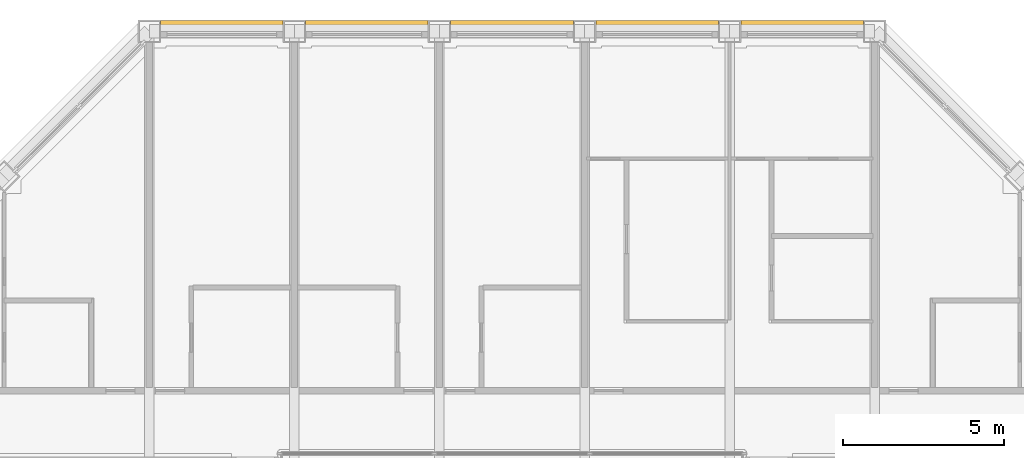
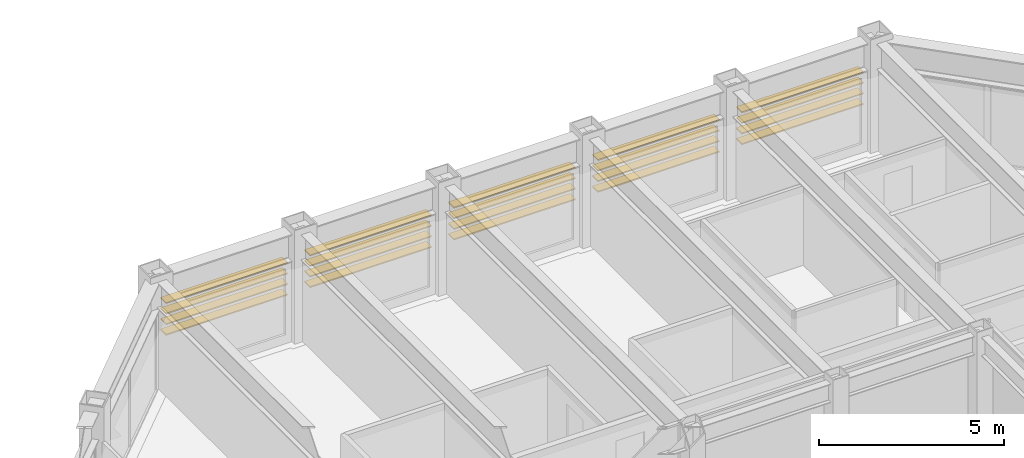
# One storey, part 18 of 18: 1 shading device.
"""IFC4 building model written with IfcOpenShell, lengths in metres."""

import ifcopenshell
import ifcopenshell.guid

model = None  # the IFC model being written
_history = None  # IfcOwnerHistory: only IFC2X3 demands one
_inside = {}  # id of a spatial element -> (the spatial element, [elements in it])
_under = {}  # id of a project, library or spatial element -> (it, [spatial elements below it])
_declared = {}  # id of a project -> (the project, [libraries it declares])
_typed = {}  # id of a type object -> (the type object, [elements of that type])
_made_of = {}  # id of a material, layer set ... -> (it, [elements and type objects made of it])


def new_model(schema):
    """Start an empty IFC model of exactly this schema.

    Asked for "IFC4X3", IfcOpenShell would pick the latest addendum, in which some entities
    have other attributes; the version numbers below select the first issue.
    IFC2X3 requires an IfcOwnerHistory on every rooted entity: one is made here for all.
    """
    global model, _history
    if schema == "IFC4X3":
        model = ifcopenshell.file(schema_version=(4, 3, 0, 0))
    else:
        model = ifcopenshell.file(schema=schema)
    _inside.clear()
    _under.clear()
    _declared.clear()
    _typed.clear()
    _made_of.clear()
    _history = None
    if model.schema == "IFC2X3":
        org = make("IfcOrganization", Name="unknown")
        user = make(
            "IfcPersonAndOrganization",
            ThePerson=make("IfcPerson", FamilyName="unknown"),
            TheOrganization=org,
        )
        app = make(
            "IfcApplication",
            ApplicationDeveloper=org,
            Version="unknown",
            ApplicationFullName="unknown",
            ApplicationIdentifier="unknown",
        )
        _history = make(
            "IfcOwnerHistory",
            OwningUser=user,
            OwningApplication=app,
            ChangeAction="ADDED",
            CreationDate=0,
        )
    return model


def make(cls, **values):
    """One entity of the class cls with the attributes given. An attribute that is None is left unset."""
    return model.create_entity(
        cls, **{name: value for name, value in values.items() if value is not None}
    )


def rooted(cls, **values):
    """An entity with a GlobalId (a new one), such as an element, a storey or a relation."""
    return make(cls, GlobalId=ifcopenshell.guid.new(), OwnerHistory=_history, **values)


def si_unit(unit_type, name, prefix=None):
    """IfcSIUnit, for example si_unit("LENGTHUNIT", "METRE", prefix="MILLI")."""
    return make("IfcSIUnit", UnitType=unit_type, Prefix=prefix, Name=name)


def assignment(units):
    """IfcUnitAssignment: the units of a project."""
    return None if units is None else make("IfcUnitAssignment", Units=units)


def point(xyz):
    """IfcCartesianPoint."""
    return None if xyz is None else make("IfcCartesianPoint", Coordinates=xyz)


def direction(xyz):
    """IfcDirection."""
    return None if xyz is None else make("IfcDirection", DirectionRatios=xyz)


def frame(location, z_axis=None, x_axis=None):
    """IfcAxis2Placement3D, a coordinate frame: its origin and axes. An axis left out is left unset."""
    return make(
        "IfcAxis2Placement3D",
        Location=point(location),
        Axis=direction(z_axis),
        RefDirection=direction(x_axis),
    )


def frame_2d(location, x_axis=None):
    """IfcAxis2Placement2D, a coordinate frame in the plane: its origin and x axis."""
    return make(
        "IfcAxis2Placement2D", Location=point(location), RefDirection=direction(x_axis)
    )


def origin():
    """The frame at (0, 0, 0) with its axes left unset."""
    return frame((0.0, 0.0, 0.0))


def origin_2d():
    """The frame at (0, 0) in the plane with its x axis left unset."""
    return frame_2d((0.0, 0.0))


def place(relative_to, where):
    """IfcLocalPlacement: puts the frame where relative to a parent placement (None: the world)."""
    return make(
        "IfcLocalPlacement", PlacementRelTo=relative_to, RelativePlacement=where
    )


def context(
    kind, dimensions, precision=None, world=None, true_north=None, identifier=None
):
    """IfcGeometricRepresentationContext, for example the 3D "Model" context."""
    return make(
        "IfcGeometricRepresentationContext",
        ContextIdentifier=identifier,
        ContextType=kind,
        CoordinateSpaceDimension=dimensions,
        Precision=precision,
        WorldCoordinateSystem=world,
        TrueNorth=true_north,
    )


def subcontext(parent, identifier, kind, view, scale=None):
    """IfcGeometricRepresentationSubContext, for example "Body" below "Model"."""
    return make(
        "IfcGeometricRepresentationSubContext",
        ContextIdentifier=identifier,
        ContextType=kind,
        ParentContext=parent,
        TargetScale=scale,
        TargetView=view,
    )


def project(units=None, contexts=None):
    """IfcProject with its units and contexts."""
    return rooted(
        "IfcProject",
        Name="project",
        RepresentationContexts=contexts,
        UnitsInContext=assignment(units),
    )


def spatial(cls, under=None, at=None, **own):
    """A site, building, storey or space (cls), placed at a placement, below another one or the project."""
    s = rooted(cls, ObjectPlacement=at, **own)
    if under is not None:
        _under.setdefault(under.id(), (under, []))[1].append(s)
    return s


def profile(cls, at=None, kind="AREA", **sizes):
    """A parametric profile (cls). Its sizes go by their IFC names, for example OverallWidth=200.0."""
    return make(cls, ProfileType=kind, Position=at, **sizes)


def rectangle(**sizes):
    """IfcRectangleProfileDef."""
    return profile("IfcRectangleProfileDef", **sizes)


def extrude(swept, where, along, depth):
    """IfcExtrudedAreaSolid: the profile swept, set in the frame where, extruded along a direction by depth."""
    return make(
        "IfcExtrudedAreaSolid",
        SweptArea=swept,
        Position=where,
        ExtrudedDirection=direction(along),
        Depth=depth,
    )


def shape(context_of_items, identifier, shape_type, items):
    """IfcShapeRepresentation: the items that make up one representation, for example the "Body"."""
    return make(
        "IfcShapeRepresentation",
        ContextOfItems=context_of_items,
        RepresentationIdentifier=identifier,
        RepresentationType=shape_type,
        Items=items,
    )


def material(Name=None, Category=None):
    """IfcMaterial."""
    return make("IfcMaterial", Name=Name, Category=Category)


def made_of(thing, what):
    """Note that an element or type object is made of a material, layer set ...; save() writes the relation."""
    if what is not None:
        _made_of.setdefault(what.id(), (what, []))[1].append(thing)
    return thing


def type_object(cls, material=None, **own):
    """A type object (cls), such as IfcWallType, which elements share."""
    return made_of(rooted(cls, **own), material)


def element(
    cls,
    number,
    at=None,
    inside=None,
    cuts=None,
    type_object=None,
    material=None,
    context=None,
    identifier="Body",
    shape_type=None,
    held_by="IfcProductDefinitionShape",
    body=None,
    shapes=None,
    **own,
):
    """One element of the class cls, such as IfcWall. Its Tag is "e" and its number.

    at: its placement. inside: the storey or other place that contains it. cuts: it is an
    opening in that element (IfcRelVoidsElement). A single representation is given by context,
    identifier, shape_type and body (its items); several are given by shapes. held_by: the class
    of the entity that holds the representations. save() writes the other relations.
    """
    e = rooted(cls, Tag="e%d" % number, ObjectPlacement=at, **own)
    if body is not None:
        shapes = [shape(context, identifier, shape_type, body)]
    if shapes is not None:
        e.Representation = make(held_by, Representations=shapes)
    if inside is not None:
        _inside.setdefault(inside.id(), (inside, []))[1].append(e)
    if cuts is not None:
        rooted(
            "IfcRelVoidsElement", RelatingBuildingElement=cuts, RelatedOpeningElement=e
        )
    if type_object is not None:
        _typed.setdefault(type_object.id(), (type_object, []))[1].append(e)
    return made_of(e, material)


def aggregate(whole, parts):
    """IfcRelAggregates: a whole, such as a stair, and the parts it consists of."""
    return rooted("IfcRelAggregates", RelatingObject=whole, RelatedObjects=parts)


def save(model, path):
    """Write the relations noted so far, then the file.

    IfcRelAggregates (storeys below a building ...), IfcRelContainedInSpatialStructure (elements
    in a storey), IfcRelDefinesByType, IfcRelAssociatesMaterial and IfcRelDeclares: one each for
    every whole, place, type object, material and project.
    """
    for whole, parts in _under.values():
        aggregate(whole, parts)
    for where, things in _inside.values():
        rooted(
            "IfcRelContainedInSpatialStructure",
            RelatedElements=things,
            RelatingStructure=where,
        )
    for kind, things in _typed.values():
        rooted("IfcRelDefinesByType", RelatedObjects=things, RelatingType=kind)
    for what, things in _made_of.values():
        rooted("IfcRelAssociatesMaterial", RelatedObjects=things, RelatingMaterial=what)
    for by, libraries in _declared.values():
        rooted("IfcRelDeclares", RelatingContext=by, RelatedDefinitions=libraries)
    model.write(path)


model = new_model("IFC4")

# Units and contexts
model_context = context("Model", 3, precision=1e-05, world=origin(), true_north=direction((0.0, 1.0)))
body_context = subcontext(model_context, "Body", "Model", "MODEL_VIEW")
ifc_project = project(units=[si_unit("LENGTHUNIT", "METRE"), si_unit("AREAUNIT", "SQUARE_METRE"), si_unit("VOLUMEUNIT", "CUBIC_METRE"), si_unit("PLANEANGLEUNIT", "RADIAN"), si_unit("MASSUNIT", "GRAM", prefix="KILO")], contexts=[model_context])

# Site, building, storey
site_placement = place(None, origin())
site = spatial("IfcSite", under=ifc_project, at=site_placement, CompositionType="ELEMENT")
building_placement = place(site_placement, origin())
building = spatial("IfcBuilding", under=site, at=building_placement, Name="Msasa Ring Tower", CompositionType="ELEMENT")
storey_placement = place(building_placement, frame((0.0, 0.0, 223.300048828125)))
storey = spatial("IfcBuildingStorey", under=building, at=storey_placement, Name="L58", CompositionType="ELEMENT", Elevation=223.300048828125)

# Shading device
ifc_material = material(Name="Extruded terracotta blades", Category="masonry")
shading_device_type = type_object("IfcShadingDeviceType", Name="SS1 TERRACOTTA SUNSHADE 4 BLADES 300x40 AT 350", PredefinedType="USERDEFINED", material=ifc_material)
shading_device_placement = place(storey_placement, origin())
element("IfcShadingDevice", 1, at=shading_device_placement, inside=storey, type_object=shading_device_type, Name="Terracotta sunshade N L58", ObjectType="SUNSHADE", PredefinedType="USERDEFINED", context=body_context, shape_type="SweptSolid", body=[
    extrude(rectangle(XDim=0.0400390625, YDim=0.300048828125, at=origin_2d()), frame((-10.89990234375, 20.429931640625, 2.458984375), z_axis=(1.0, 0.0, 0.0), x_axis=(0.0, 0.0, 1.0)), (0.0, 0.0, 1.0), 3.800048828125),
    extrude(rectangle(XDim=0.0400390625, YDim=0.300048828125, at=origin_2d()), frame((-10.89990234375, 20.429931640625, 2.10888671875), z_axis=(1.0, 0.0, 0.0), x_axis=(0.0, 0.0, 1.0)), (0.0, 0.0, 1.0), 3.800048828125),
    extrude(rectangle(XDim=0.0400390625, YDim=0.300048828125, at=origin_2d()), frame((-10.89990234375, 20.429931640625, 1.759033203125), z_axis=(1.0, 0.0, 0.0), x_axis=(0.0, 0.0, 1.0)), (0.0, 0.0, 1.0), 3.800048828125),
    extrude(rectangle(XDim=0.0400390625, YDim=0.300048828125, at=origin_2d()), frame((-10.89990234375, 20.429931640625, 1.408935546875), z_axis=(1.0, 0.0, 0.0), x_axis=(0.0, 0.0, 1.0)), (0.0, 0.0, 1.0), 3.800048828125),
    extrude(rectangle(XDim=0.0400390625, YDim=0.300048828125, at=origin_2d()), frame((-6.39990234375, 20.429931640625, 2.458984375), z_axis=(1.0, 0.0, 0.0), x_axis=(0.0, 0.0, 1.0)), (0.0, 0.0, 1.0), 3.800048828125),
    extrude(rectangle(XDim=0.0400390625, YDim=0.300048828125, at=origin_2d()), frame((-6.39990234375, 20.429931640625, 2.10888671875), z_axis=(1.0, 0.0, 0.0), x_axis=(0.0, 0.0, 1.0)), (0.0, 0.0, 1.0), 3.800048828125),
    extrude(rectangle(XDim=0.0400390625, YDim=0.300048828125, at=origin_2d()), frame((-6.39990234375, 20.429931640625, 1.759033203125), z_axis=(1.0, 0.0, 0.0), x_axis=(0.0, 0.0, 1.0)), (0.0, 0.0, 1.0), 3.800048828125),
    extrude(rectangle(XDim=0.0400390625, YDim=0.300048828125, at=origin_2d()), frame((-6.39990234375, 20.429931640625, 1.408935546875), z_axis=(1.0, 0.0, 0.0), x_axis=(0.0, 0.0, 1.0)), (0.0, 0.0, 1.0), 3.800048828125),
    extrude(rectangle(XDim=0.0400390625, YDim=0.300048828125, at=origin_2d()), frame((-1.89990234375, 20.429931640625, 2.458984375), z_axis=(1.0, 0.0, 0.0), x_axis=(0.0, 0.0, 1.0)), (0.0, 0.0, 1.0), 3.800048828125),
    extrude(rectangle(XDim=0.0400390625, YDim=0.300048828125, at=origin_2d()), frame((-1.89990234375, 20.429931640625, 2.10888671875), z_axis=(1.0, 0.0, 0.0), x_axis=(0.0, 0.0, 1.0)), (0.0, 0.0, 1.0), 3.800048828125),
    extrude(rectangle(XDim=0.0400390625, YDim=0.300048828125, at=origin_2d()), frame((-1.89990234375, 20.429931640625, 1.759033203125), z_axis=(1.0, 0.0, 0.0), x_axis=(0.0, 0.0, 1.0)), (0.0, 0.0, 1.0), 3.800048828125),
    extrude(rectangle(XDim=0.0400390625, YDim=0.300048828125, at=origin_2d()), frame((-1.89990234375, 20.429931640625, 1.408935546875), z_axis=(1.0, 0.0, 0.0), x_axis=(0.0, 0.0, 1.0)), (0.0, 0.0, 1.0), 3.800048828125),
    extrude(rectangle(XDim=0.0400390625, YDim=0.300048828125, at=origin_2d()), frame((2.60009765625, 20.429931640625, 2.458984375), z_axis=(1.0, 0.0, 0.0), x_axis=(0.0, 0.0, 1.0)), (0.0, 0.0, 1.0), 3.800048828125),
    extrude(rectangle(XDim=0.0400390625, YDim=0.300048828125, at=origin_2d()), frame((2.60009765625, 20.429931640625, 2.10888671875), z_axis=(1.0, 0.0, 0.0), x_axis=(0.0, 0.0, 1.0)), (0.0, 0.0, 1.0), 3.800048828125),
    extrude(rectangle(XDim=0.0400390625, YDim=0.300048828125, at=origin_2d()), frame((2.60009765625, 20.429931640625, 1.759033203125), z_axis=(1.0, 0.0, 0.0), x_axis=(0.0, 0.0, 1.0)), (0.0, 0.0, 1.0), 3.800048828125),
    extrude(rectangle(XDim=0.0400390625, YDim=0.300048828125, at=origin_2d()), frame((2.60009765625, 20.429931640625, 1.408935546875), z_axis=(1.0, 0.0, 0.0), x_axis=(0.0, 0.0, 1.0)), (0.0, 0.0, 1.0), 3.800048828125),
    extrude(rectangle(XDim=0.0400390625, YDim=0.300048828125, at=origin_2d()), frame((7.10009765625, 20.429931640625, 2.458984375), z_axis=(1.0, 0.0, 0.0), x_axis=(0.0, 0.0, 1.0)), (0.0, 0.0, 1.0), 3.800048828125),
    extrude(rectangle(XDim=0.0400390625, YDim=0.300048828125, at=origin_2d()), frame((7.10009765625, 20.429931640625, 2.10888671875), z_axis=(1.0, 0.0, 0.0), x_axis=(0.0, 0.0, 1.0)), (0.0, 0.0, 1.0), 3.800048828125),
    extrude(rectangle(XDim=0.0400390625, YDim=0.300048828125, at=origin_2d()), frame((7.10009765625, 20.429931640625, 1.759033203125), z_axis=(1.0, 0.0, 0.0), x_axis=(0.0, 0.0, 1.0)), (0.0, 0.0, 1.0), 3.800048828125),
    extrude(rectangle(XDim=0.0400390625, YDim=0.300048828125, at=origin_2d()), frame((7.10009765625, 20.429931640625, 1.408935546875), z_axis=(1.0, 0.0, 0.0), x_axis=(0.0, 0.0, 1.0)), (0.0, 0.0, 1.0), 3.800048828125),
])

save(model, "model.ifc")
